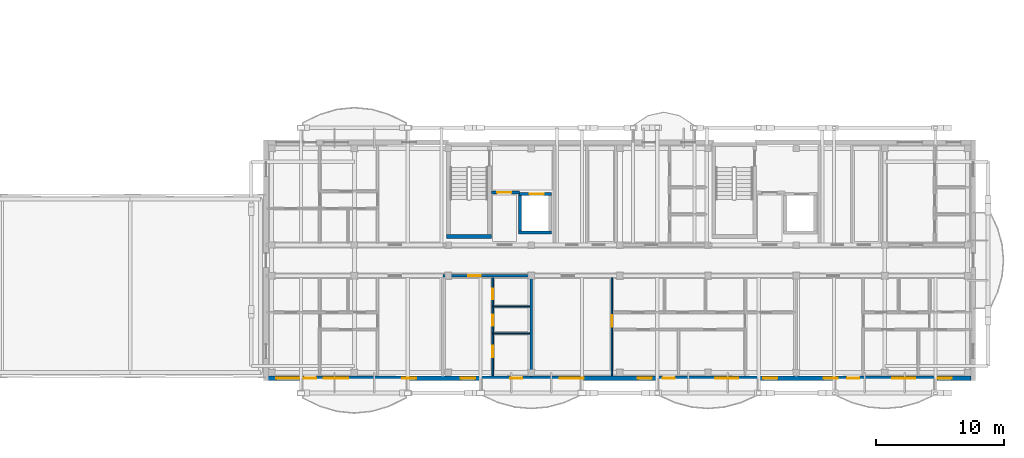
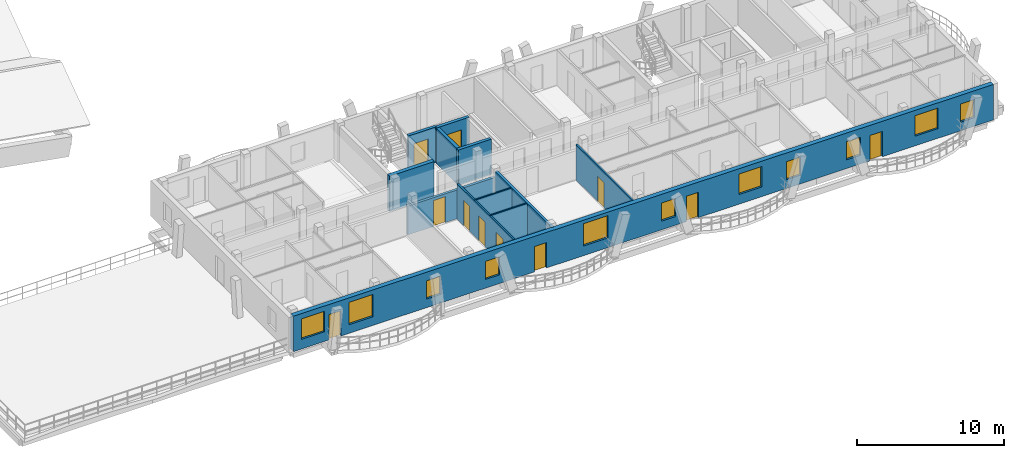
# One storey, part 78 of 109: 12 walls, 11 doors, 11 windows, 22 openings.
"""IFC4 building model written with IfcOpenShell, lengths in metres."""

from ifc_helpers import new_model, si_unit, direction, frame, frame_2d, origin, origin_with_axes, place, context, subcontext, project, spatial, rectangle, extrude, material, layer, layer_set, type_object, element, fill, save


model = new_model("IFC4")

# Units and contexts
model_context = context("Model", 3, precision=1e-05, world=origin(), true_north=direction((0.0, 1.0)))
body_context = subcontext(model_context, "Body", "Model", "MODEL_VIEW")
ifc_project = project(units=[si_unit("LENGTHUNIT", "METRE"), si_unit("AREAUNIT", "SQUARE_METRE"), si_unit("VOLUMEUNIT", "CUBIC_METRE"), si_unit("PLANEANGLEUNIT", "RADIAN"), si_unit("MASSUNIT", "GRAM", prefix="KILO")], contexts=[model_context])

# Site, building, storey
site_placement = place(None, origin())
site = spatial("IfcSite", under=ifc_project, at=site_placement, CompositionType="ELEMENT")
building_placement = place(site_placement, origin())
building = spatial("IfcBuilding", under=site, at=building_placement, Name="Zavelmont Quarter", CompositionType="ELEMENT")
storey_placement = place(building_placement, frame((0.0, 0.0, 8.0)))
storey = spatial("IfcBuildingStorey", under=building, at=storey_placement, Name="L02", CompositionType="ELEMENT", Elevation=8.0)

# Wall, openings, doors, windows
ifc_material_1 = material(Name="Natural Belgian limestone", Category="masonry")
ifc_layer_1 = layer(ifc_material_1, 0.360107421875)
ifc_layer_set_1 = layer_set([ifc_layer_1], Name="Natural Belgian limestone")
wall_type_1 = type_object("IfcWallType", Name="EW02", PredefinedType="STANDARD", material=ifc_layer_set_1)
wall_1_placement = place(storey_placement, frame((112.969970703125, 0.0, 0.0), z_axis=(0.0, 0.0, 1.0), x_axis=(1.0, 0.0, 0.0)))
wall_1 = element("IfcWall", 1, at=wall_1_placement, inside=storey, type_object=wall_type_1, Name="L02 exterior limestone wall EW02", PredefinedType="STANDARD", context=body_context, shape_type="SweptSolid", body=[
    extrude(rectangle(XDim=54.860107421875, YDim=0.360107421875, at=frame_2d((27.43017578125, 0.0))), origin(), (0.0, 0.0, 1.0), 2.93994140625),
])
opening_1_placement = place(wall_1_placement, frame((2.7880859375, 0.0, 0.0)))
opening_1 = element("IfcOpeningElement", 2, at=opening_1_placement, cuts=wall_1, Name="Opening DR04", PredefinedType="OPENING", context=body_context, shape_type="SweptSolid", body=[
    extrude(rectangle(XDim=0.949951171875, YDim=2.10009765625, at=frame_2d((0.47509765625, 1.050048828125))), frame((0.0, 0.19189453125, 0.0), z_axis=(0.0, -1.0, 0.0), x_axis=(1.0, 0.0, 0.0)), (0.0, 0.0, 1.0), 0.384033203125),
])
opening_2_placement = place(wall_1_placement, frame((18.89990234375, 0.0, 0.0)))
opening_2 = element("IfcOpeningElement", 3, at=opening_2_placement, cuts=wall_1, Name="Opening DR04", PredefinedType="OPENING", context=body_context, shape_type="SweptSolid", body=[
    extrude(rectangle(XDim=0.949951171875, YDim=2.10009765625, at=frame_2d((0.47509765625, 1.050048828125))), frame((0.0, 0.19189453125, 0.0), z_axis=(0.0, -1.0, 0.0), x_axis=(1.0, 0.0, 0.0)), (0.0, 0.0, 1.0), 0.384033203125),
])
opening_3_placement = place(wall_1_placement, frame((30.79150390625, 0.0, 0.0)))
opening_3 = element("IfcOpeningElement", 4, at=opening_3_placement, cuts=wall_1, Name="Opening DR04", PredefinedType="OPENING", context=body_context, shape_type="SweptSolid", body=[
    extrude(rectangle(XDim=0.949951171875, YDim=2.10009765625, at=frame_2d((0.47509765625, 1.050048828125))), frame((0.0, 0.19189453125, 0.0), z_axis=(0.0, -1.0, 0.0), x_axis=(1.0, 0.0, 0.0)), (0.0, 0.0, 1.0), 0.384033203125),
])
opening_4_placement = place(wall_1_placement, frame((45.19140625, 0.0, 0.0)))
opening_4 = element("IfcOpeningElement", 5, at=opening_4_placement, cuts=wall_1, Name="Opening DR04", PredefinedType="OPENING", context=body_context, shape_type="SweptSolid", body=[
    extrude(rectangle(XDim=0.949951171875, YDim=2.10009765625, at=frame_2d((0.47509765625, 1.050048828125))), frame((0.0, 0.19189453125, 0.0), z_axis=(0.0, -1.0, 0.0), x_axis=(1.0, 0.0, 0.0)), (0.0, 0.0, 1.0), 0.384033203125),
])
opening_5_placement = place(wall_1_placement, frame((0.64501953125, 0.0, 0.800048828125)))
opening_5 = element("IfcOpeningElement", 6, at=opening_5_placement, cuts=wall_1, Name="Opening WN02", PredefinedType="OPENING", context=body_context, shape_type="SweptSolid", body=[
    extrude(rectangle(XDim=1.800048828125, YDim=1.699951171875, at=frame_2d((0.89990234375, 0.85009765625))), frame((0.0, 0.19189453125, 0.0), z_axis=(0.0, -1.0, 0.0), x_axis=(1.0, 0.0, 0.0)), (0.0, 0.0, 1.0), 0.384033203125),
])
opening_6_placement = place(wall_1_placement, frame((4.35009765625, 0.0, 0.719970703125)))
opening_6 = element("IfcOpeningElement", 7, at=opening_6_placement, cuts=wall_1, Name="Opening WN20", PredefinedType="OPENING", context=body_context, shape_type="SweptSolid", body=[
    extrude(rectangle(XDim=1.89990234375, YDim=1.85009765625, at=frame_2d((0.949951171875, 0.925048828125))), frame((0.0, 0.19189453125, 0.0), z_axis=(0.0, -1.0, 0.0), x_axis=(1.0, 0.0, 0.0)), (0.0, 0.0, 1.0), 0.384033203125),
])
opening_7_placement = place(wall_1_placement, frame((10.449951171875, 0.0, 0.719970703125)))
opening_7 = element("IfcOpeningElement", 8, at=opening_7_placement, cuts=wall_1, Name="Opening WN09", PredefinedType="OPENING", context=body_context, shape_type="SweptSolid", body=[
    extrude(rectangle(XDim=1.10009765625, YDim=1.5, at=frame_2d((0.550048828125, 0.75))), frame((0.0, 0.19189453125, 0.0), z_axis=(0.0, -1.0, 0.0), x_axis=(1.0, 0.0, 0.0)), (0.0, 0.0, 1.0), 0.384033203125),
])
opening_8_placement = place(wall_1_placement, frame((15.050048828125, 0.0, 0.719970703125)))
opening_8 = element("IfcOpeningElement", 9, at=opening_8_placement, cuts=wall_1, Name="Opening WN09", PredefinedType="OPENING", context=body_context, shape_type="SweptSolid", body=[
    extrude(rectangle(XDim=1.10009765625, YDim=1.5, at=frame_2d((0.550048828125, 0.75))), frame((0.0, 0.19189453125, 0.0), z_axis=(0.0, -1.0, 0.0), x_axis=(1.0, 0.0, 0.0)), (0.0, 0.0, 1.0), 0.384033203125),
])
opening_9_placement = place(wall_1_placement, frame((22.75, 0.0, 0.800048828125)))
opening_9 = element("IfcOpeningElement", 10, at=opening_9_placement, cuts=wall_1, Name="Opening WN20", PredefinedType="OPENING", context=body_context, shape_type="SweptSolid", body=[
    extrude(rectangle(XDim=1.89990234375, YDim=1.85009765625, at=frame_2d((0.949951171875, 0.925048828125))), frame((0.0, 0.19189453125, 0.0), z_axis=(0.0, -1.0, 0.0), x_axis=(1.0, 0.0, 0.0)), (0.0, 0.0, 1.0), 0.384033203125),
])
opening_10_placement = place(wall_1_placement, frame((28.85009765625, 0.0, 0.719970703125)))
opening_10 = element("IfcOpeningElement", 11, at=opening_10_placement, cuts=wall_1, Name="Opening WN09", PredefinedType="OPENING", context=body_context, shape_type="SweptSolid", body=[
    extrude(rectangle(XDim=1.10009765625, YDim=1.5, at=frame_2d((0.550048828125, 0.75))), frame((0.0, 0.19189453125, 0.0), z_axis=(0.0, -1.0, 0.0), x_axis=(1.0, 0.0, 0.0)), (0.0, 0.0, 1.0), 0.384033203125),
])
opening_11_placement = place(wall_1_placement, frame((34.89990234375, 0.0, 0.800048828125)))
opening_11 = element("IfcOpeningElement", 12, at=opening_11_placement, cuts=wall_1, Name="Opening WN02", PredefinedType="OPENING", context=body_context, shape_type="SweptSolid", body=[
    extrude(rectangle(XDim=1.800048828125, YDim=1.699951171875, at=frame_2d((0.89990234375, 0.85009765625))), frame((0.0, 0.19189453125, 0.0), z_axis=(0.0, -1.0, 0.0), x_axis=(1.0, 0.0, 0.0)), (0.0, 0.0, 1.0), 0.384033203125),
])
opening_12_placement = place(wall_1_placement, frame((38.64990234375, 0.0, 0.719970703125)))
opening_12 = element("IfcOpeningElement", 13, at=opening_12_placement, cuts=wall_1, Name="Opening WN09", PredefinedType="OPENING", context=body_context, shape_type="SweptSolid", body=[
    extrude(rectangle(XDim=1.10009765625, YDim=1.5, at=frame_2d((0.550048828125, 0.75))), frame((0.0, 0.19189453125, 0.0), z_axis=(0.0, -1.0, 0.0), x_axis=(1.0, 0.0, 0.0)), (0.0, 0.0, 1.0), 0.384033203125),
])
opening_13_placement = place(wall_1_placement, frame((43.35009765625, 0.0, 0.719970703125)))
opening_13 = element("IfcOpeningElement", 14, at=opening_13_placement, cuts=wall_1, Name="Opening WN09", PredefinedType="OPENING", context=body_context, shape_type="SweptSolid", body=[
    extrude(rectangle(XDim=1.10009765625, YDim=1.5, at=frame_2d((0.550048828125, 0.75))), frame((0.0, 0.19189453125, 0.0), z_axis=(0.0, -1.0, 0.0), x_axis=(1.0, 0.0, 0.0)), (0.0, 0.0, 1.0), 0.384033203125),
])
opening_14_placement = place(wall_1_placement, frame((48.699951171875, 0.0, 0.800048828125)))
opening_14 = element("IfcOpeningElement", 15, at=opening_14_placement, cuts=wall_1, Name="Opening WN02", PredefinedType="OPENING", context=body_context, shape_type="SweptSolid", body=[
    extrude(rectangle(XDim=1.800048828125, YDim=1.699951171875, at=frame_2d((0.89990234375, 0.85009765625))), frame((0.0, 0.19189453125, 0.0), z_axis=(0.0, -1.0, 0.0), x_axis=(1.0, 0.0, 0.0)), (0.0, 0.0, 1.0), 0.384033203125),
])
opening_15_placement = place(wall_1_placement, frame((52.25, 0.0, 0.719970703125)))
opening_15 = element("IfcOpeningElement", 16, at=opening_15_placement, cuts=wall_1, Name="Opening WN09", PredefinedType="OPENING", context=body_context, shape_type="SweptSolid", body=[
    extrude(rectangle(XDim=1.10009765625, YDim=1.5, at=frame_2d((0.550048828125, 0.75))), frame((0.0, 0.19189453125, 0.0), z_axis=(0.0, -1.0, 0.0), x_axis=(1.0, 0.0, 0.0)), (0.0, 0.0, 1.0), 0.384033203125),
])
ifc_material_2 = material(Name="Thermally broken aluminium and double safety glass", Category="aluminium")
door_type_1 = type_object("IfcDoorType", Name="DR04", OperationType="NOTDEFINED", PredefinedType="DOOR", material=ifc_material_2)
door_1_placement = place(opening_1_placement, origin_with_axes())
door_1 = element("IfcDoor", 17, at=door_1_placement, inside=storey, type_object=door_type_1, Name="Block D L02 glazed balcony door", OperationType="SINGLE_SWING_RIGHT", OverallHeight=2.10009765625, OverallWidth=0.949951171875, PredefinedType="DOOR", context=body_context, shape_type="SweptSolid", body=[
    extrude(rectangle(XDim=0.949951171875, YDim=2.10009765625, at=frame_2d((0.47509765625, 1.050048828125))), frame((0.0, 0.02490234375, 0.0), z_axis=(0.0, -1.0, 0.0), x_axis=(1.0, 0.0, 0.0)), (0.0, 0.0, 1.0), 0.050048828125),
])
fill(opening_1, door_1)
door_2_placement = place(opening_2_placement, origin_with_axes())
door_2 = element("IfcDoor", 18, at=door_2_placement, inside=storey, type_object=door_type_1, Name="Block D L02 glazed balcony door", OperationType="SINGLE_SWING_RIGHT", OverallHeight=2.10009765625, OverallWidth=0.949951171875, PredefinedType="DOOR", context=body_context, shape_type="SweptSolid", body=[
    extrude(rectangle(XDim=0.949951171875, YDim=2.10009765625, at=frame_2d((0.47509765625, 1.050048828125))), frame((0.0, 0.02490234375, 0.0), z_axis=(0.0, -1.0, 0.0), x_axis=(1.0, 0.0, 0.0)), (0.0, 0.0, 1.0), 0.050048828125),
])
fill(opening_2, door_2)
door_3_placement = place(opening_3_placement, origin_with_axes())
door_3 = element("IfcDoor", 19, at=door_3_placement, inside=storey, type_object=door_type_1, Name="Block D L02 glazed balcony door", OperationType="SINGLE_SWING_RIGHT", OverallHeight=2.10009765625, OverallWidth=0.949951171875, PredefinedType="DOOR", context=body_context, shape_type="SweptSolid", body=[
    extrude(rectangle(XDim=0.949951171875, YDim=2.10009765625, at=frame_2d((0.47509765625, 1.050048828125))), frame((0.0, 0.02490234375, 0.0), z_axis=(0.0, -1.0, 0.0), x_axis=(1.0, 0.0, 0.0)), (0.0, 0.0, 1.0), 0.050048828125),
])
fill(opening_3, door_3)
door_4_placement = place(opening_4_placement, origin_with_axes())
door_4 = element("IfcDoor", 20, at=door_4_placement, inside=storey, type_object=door_type_1, Name="Block D L02 glazed balcony door", OperationType="SINGLE_SWING_RIGHT", OverallHeight=2.10009765625, OverallWidth=0.949951171875, PredefinedType="DOOR", context=body_context, shape_type="SweptSolid", body=[
    extrude(rectangle(XDim=0.949951171875, YDim=2.10009765625, at=frame_2d((0.47509765625, 1.050048828125))), frame((0.0, 0.02490234375, 0.0), z_axis=(0.0, -1.0, 0.0), x_axis=(1.0, 0.0, 0.0)), (0.0, 0.0, 1.0), 0.050048828125),
])
fill(opening_4, door_4)
ifc_material_3 = material(Name="Double low-E insulated glazing in thermally broken aluminium frame", Category="aluminium")
window_type_1 = type_object("IfcWindowType", Name="WN02", PartitioningType="SINGLE_PANEL", PredefinedType="WINDOW", material=ifc_material_3)
window_1_placement = place(opening_5_placement, origin_with_axes())
window_1 = element("IfcWindow", 21, at=window_1_placement, inside=storey, type_object=window_type_1, Name="L02 window WN02", OverallHeight=1.699951171875, OverallWidth=1.800048828125, PartitioningType="SINGLE_PANEL", PredefinedType="WINDOW", context=body_context, shape_type="SweptSolid", body=[
    extrude(rectangle(XDim=1.800048828125, YDim=1.699951171875, at=frame_2d((0.89990234375, 0.85009765625))), frame((0.0, 0.030029296875, 0.0), z_axis=(0.0, -1.0, 0.0), x_axis=(1.0, 0.0, 0.0)), (0.0, 0.0, 1.0), 0.06005859375),
])
fill(opening_5, window_1)
window_2_placement = place(opening_11_placement, origin_with_axes())
window_2 = element("IfcWindow", 22, at=window_2_placement, inside=storey, type_object=window_type_1, Name="L02 window WN02", OverallHeight=1.699951171875, OverallWidth=1.800048828125, PartitioningType="SINGLE_PANEL", PredefinedType="WINDOW", context=body_context, shape_type="SweptSolid", body=[
    extrude(rectangle(XDim=1.800048828125, YDim=1.699951171875, at=frame_2d((0.89990234375, 0.85009765625))), frame((0.0, 0.030029296875, 0.0), z_axis=(0.0, -1.0, 0.0), x_axis=(1.0, 0.0, 0.0)), (0.0, 0.0, 1.0), 0.06005859375),
])
fill(opening_11, window_2)
window_3_placement = place(opening_14_placement, origin_with_axes())
window_3 = element("IfcWindow", 23, at=window_3_placement, inside=storey, type_object=window_type_1, Name="L02 window WN02", OverallHeight=1.699951171875, OverallWidth=1.800048828125, PartitioningType="SINGLE_PANEL", PredefinedType="WINDOW", context=body_context, shape_type="SweptSolid", body=[
    extrude(rectangle(XDim=1.800048828125, YDim=1.699951171875, at=frame_2d((0.89990234375, 0.85009765625))), frame((0.0, 0.030029296875, 0.0), z_axis=(0.0, -1.0, 0.0), x_axis=(1.0, 0.0, 0.0)), (0.0, 0.0, 1.0), 0.06005859375),
])
fill(opening_14, window_3)
window_type_2 = type_object("IfcWindowType", Name="WN09", PartitioningType="SINGLE_PANEL", PredefinedType="WINDOW", material=ifc_material_3)
window_4_placement = place(opening_7_placement, origin_with_axes())
window_4 = element("IfcWindow", 24, at=window_4_placement, inside=storey, type_object=window_type_2, Name="L02 window WN09", OverallHeight=1.5, OverallWidth=1.10009765625, PartitioningType="SINGLE_PANEL", PredefinedType="WINDOW", context=body_context, shape_type="SweptSolid", body=[
    extrude(rectangle(XDim=1.10009765625, YDim=1.5, at=frame_2d((0.550048828125, 0.75))), frame((0.0, 0.030029296875, 0.0), z_axis=(0.0, -1.0, 0.0), x_axis=(1.0, 0.0, 0.0)), (0.0, 0.0, 1.0), 0.06005859375),
])
fill(opening_7, window_4)
window_5_placement = place(opening_8_placement, origin_with_axes())
window_5 = element("IfcWindow", 25, at=window_5_placement, inside=storey, type_object=window_type_2, Name="L02 window WN09", OverallHeight=1.5, OverallWidth=1.10009765625, PartitioningType="SINGLE_PANEL", PredefinedType="WINDOW", context=body_context, shape_type="SweptSolid", body=[
    extrude(rectangle(XDim=1.10009765625, YDim=1.5, at=frame_2d((0.550048828125, 0.75))), frame((0.0, 0.030029296875, 0.0), z_axis=(0.0, -1.0, 0.0), x_axis=(1.0, 0.0, 0.0)), (0.0, 0.0, 1.0), 0.06005859375),
])
fill(opening_8, window_5)
window_6_placement = place(opening_10_placement, origin_with_axes())
window_6 = element("IfcWindow", 26, at=window_6_placement, inside=storey, type_object=window_type_2, Name="L02 window WN09", OverallHeight=1.5, OverallWidth=1.10009765625, PartitioningType="SINGLE_PANEL", PredefinedType="WINDOW", context=body_context, shape_type="SweptSolid", body=[
    extrude(rectangle(XDim=1.10009765625, YDim=1.5, at=frame_2d((0.550048828125, 0.75))), frame((0.0, 0.030029296875, 0.0), z_axis=(0.0, -1.0, 0.0), x_axis=(1.0, 0.0, 0.0)), (0.0, 0.0, 1.0), 0.06005859375),
])
fill(opening_10, window_6)
window_7_placement = place(opening_12_placement, origin_with_axes())
window_7 = element("IfcWindow", 27, at=window_7_placement, inside=storey, type_object=window_type_2, Name="L02 window WN09", OverallHeight=1.5, OverallWidth=1.10009765625, PartitioningType="SINGLE_PANEL", PredefinedType="WINDOW", context=body_context, shape_type="SweptSolid", body=[
    extrude(rectangle(XDim=1.10009765625, YDim=1.5, at=frame_2d((0.550048828125, 0.75))), frame((0.0, 0.030029296875, 0.0), z_axis=(0.0, -1.0, 0.0), x_axis=(1.0, 0.0, 0.0)), (0.0, 0.0, 1.0), 0.06005859375),
])
fill(opening_12, window_7)
window_8_placement = place(opening_13_placement, origin_with_axes())
window_8 = element("IfcWindow", 28, at=window_8_placement, inside=storey, type_object=window_type_2, Name="L02 window WN09", OverallHeight=1.5, OverallWidth=1.10009765625, PartitioningType="SINGLE_PANEL", PredefinedType="WINDOW", context=body_context, shape_type="SweptSolid", body=[
    extrude(rectangle(XDim=1.10009765625, YDim=1.5, at=frame_2d((0.550048828125, 0.75))), frame((0.0, 0.030029296875, 0.0), z_axis=(0.0, -1.0, 0.0), x_axis=(1.0, 0.0, 0.0)), (0.0, 0.0, 1.0), 0.06005859375),
])
fill(opening_13, window_8)
window_9_placement = place(opening_15_placement, origin_with_axes())
window_9 = element("IfcWindow", 29, at=window_9_placement, inside=storey, type_object=window_type_2, Name="L02 window WN09", OverallHeight=1.5, OverallWidth=1.10009765625, PartitioningType="SINGLE_PANEL", PredefinedType="WINDOW", context=body_context, shape_type="SweptSolid", body=[
    extrude(rectangle(XDim=1.10009765625, YDim=1.5, at=frame_2d((0.550048828125, 0.75))), frame((0.0, 0.030029296875, 0.0), z_axis=(0.0, -1.0, 0.0), x_axis=(1.0, 0.0, 0.0)), (0.0, 0.0, 1.0), 0.06005859375),
])
fill(opening_15, window_9)
window_type_3 = type_object("IfcWindowType", Name="WN20", PartitioningType="SINGLE_PANEL", PredefinedType="WINDOW", material=ifc_material_3)
window_10_placement = place(opening_6_placement, origin_with_axes())
window_10 = element("IfcWindow", 30, at=window_10_placement, inside=storey, type_object=window_type_3, Name="L02 window WN20", OverallHeight=1.85009765625, OverallWidth=1.89990234375, PartitioningType="SINGLE_PANEL", PredefinedType="WINDOW", context=body_context, shape_type="SweptSolid", body=[
    extrude(rectangle(XDim=1.89990234375, YDim=1.85009765625, at=frame_2d((0.949951171875, 0.925048828125))), frame((0.0, 0.030029296875, 0.0), z_axis=(0.0, -1.0, 0.0), x_axis=(1.0, 0.0, 0.0)), (0.0, 0.0, 1.0), 0.06005859375),
])
fill(opening_6, window_10)
window_11_placement = place(opening_9_placement, origin_with_axes())
window_11 = element("IfcWindow", 31, at=window_11_placement, inside=storey, type_object=window_type_3, Name="L02 window WN20", OverallHeight=1.85009765625, OverallWidth=1.89990234375, PartitioningType="SINGLE_PANEL", PredefinedType="WINDOW", context=body_context, shape_type="SweptSolid", body=[
    extrude(rectangle(XDim=1.89990234375, YDim=1.85009765625, at=frame_2d((0.949951171875, 0.925048828125))), frame((0.0, 0.030029296875, 0.0), z_axis=(0.0, -1.0, 0.0), x_axis=(1.0, 0.0, 0.0)), (0.0, 0.0, 1.0), 0.06005859375),
])
fill(opening_9, window_11)

# Wall
ifc_material_4 = material(Name="Calcium-silicate blockwork and acoustic plaster", Category="masonry")
ifc_layer_2 = layer(ifc_material_4, 0.199951171875)
ifc_layer_set_2 = layer_set([ifc_layer_2], Name="Calcium-silicate blockwork and acoustic plaster")
wall_type_2 = type_object("IfcWallType", Name="IW01", PredefinedType="PARTITIONING", material=ifc_layer_set_2)
wall_2_placement = place(storey_placement, frame((133.5, 7.85009765625, 0.0), z_axis=(0.0, 0.0, 1.0), x_axis=(0.0, -1.0, 0.0)))
element("IfcWall", 32, at=wall_2_placement, inside=storey, type_object=wall_type_2, Name="L02 Inter-dwelling compartment wall IW01", PredefinedType="PARTITIONING", context=body_context, shape_type="SweptSolid", body=[
    extrude(rectangle(XDim=7.7001953125, YDim=0.199951171875, at=frame_2d((3.85009765625, 0.0))), origin(), (0.0, 0.0, 1.0), 2.93994140625),
])

# Wall, opening, door
wall_3_placement = place(storey_placement, frame((126.60009765625, 8.0, 0.0), z_axis=(0.0, 0.0, 1.0), x_axis=(1.0, 0.0, 0.0)))
wall_3 = element("IfcWall", 33, at=wall_3_placement, inside=storey, type_object=wall_type_2, Name="L02 Corridor compartment wall IW01", PredefinedType="PARTITIONING", context=body_context, shape_type="SweptSolid", body=[
    extrude(rectangle(XDim=6.89990234375, YDim=0.199951171875, at=frame_2d((3.449951171875, 0.0))), origin(), (0.0, 0.0, 1.0), 2.3798828125),
])
opening_16_placement = place(wall_3_placement, frame((2.0, 0.0, 0.0)))
opening_16 = element("IfcOpeningElement", 34, at=opening_16_placement, cuts=wall_3, Name="Opening DR02", PredefinedType="OPENING", context=body_context, shape_type="SweptSolid", body=[
    extrude(rectangle(XDim=0.949951171875, YDim=2.14990234375, at=frame_2d((0.47509765625, 1.074951171875))), frame((0.0, 0.11181640625, 0.0), z_axis=(0.0, -1.0, 0.0), x_axis=(1.0, 0.0, 0.0)), (0.0, 0.0, 1.0), 0.223876953125),
])
ifc_material_5 = material(Name="Solid-core oak fire leaf in steel frame", Category="steel")
door_type_2 = type_object("IfcDoorType", Name="DR02", OperationType="NOTDEFINED", PredefinedType="DOOR", material=ifc_material_5)
door_5_placement = place(opening_16_placement, frame((0.949951171875, 0.0, 0.0), z_axis=(0.0, 0.0, 1.0), x_axis=(-1.0, 0.0, 0.0)))
door_5 = element("IfcDoor", 35, at=door_5_placement, inside=storey, type_object=door_type_2, Name="L02 door DR02", OperationType="SINGLE_SWING_LEFT", OverallHeight=2.14990234375, OverallWidth=0.949951171875, PredefinedType="DOOR", context=body_context, shape_type="SweptSolid", body=[
    extrude(rectangle(XDim=0.949951171875, YDim=2.14990234375, at=frame_2d((0.47509765625, 1.074951171875))), frame((0.0, 0.02490234375, 0.0), z_axis=(0.0, -1.0, 0.0), x_axis=(1.0, 0.0, 0.0)), (0.0, 0.0, 1.0), 0.050048828125),
])
fill(opening_16, door_5)

ifc_material_6 = material(Name="Reinforced masonry fire compartment wall", Category="masonry")
ifc_layer_3 = layer(ifc_material_6, 0.22509765625)
ifc_layer_set_3 = layer_set([ifc_layer_3], Name="Reinforced masonry fire compartment wall")
wall_type_3 = type_object("IfcWallType", Name="IW02", PredefinedType="PARTITIONING", material=ifc_layer_set_3)
wall_4_placement = place(storey_placement, frame((130.39990234375, 14.5, 0.0), z_axis=(0.0, 0.0, 1.0), x_axis=(1.0, 0.0, 0.0)))
wall_4 = element("IfcWall", 36, at=wall_4_placement, inside=storey, type_object=wall_type_3, Name="L02 Firefighting lobby threshold wall IW02", PredefinedType="PARTITIONING", context=body_context, shape_type="SweptSolid", body=[
    extrude(rectangle(XDim=2.2001953125, YDim=0.22509765625, at=frame_2d((1.10009765625, 0.0))), origin(), (0.0, 0.0, 1.0), 2.93994140625),
])
opening_17_placement = place(wall_4_placement, frame((0.449951171875, 0.0, 0.0)))
opening_17 = element("IfcOpeningElement", 37, at=opening_17_placement, cuts=wall_4, Name="Opening DR10", PredefinedType="OPENING", context=body_context, shape_type="SweptSolid", body=[
    extrude(rectangle(XDim=1.10009765625, YDim=2.14990234375, at=frame_2d((0.550048828125, 1.074951171875))), frame((0.0, 0.12451171875, 0.0), z_axis=(0.0, -1.0, 0.0), x_axis=(1.0, 0.0, 0.0)), (0.0, 0.0, 1.0), 0.2490234375),
])
ifc_material_7 = material(Name="Painted steel lobby fire door", Category="steel")
door_type_3 = type_object("IfcDoorType", Name="DR10", OperationType="NOTDEFINED", PredefinedType="DOOR", material=ifc_material_7)
door_6_placement = place(opening_17_placement, origin_with_axes())
door_6 = element("IfcDoor", 38, at=door_6_placement, inside=storey, type_object=door_type_3, Name="Firefighting lobby fire door", OperationType="SINGLE_SWING_RIGHT", OverallHeight=2.14990234375, OverallWidth=1.10009765625, PredefinedType="DOOR", context=body_context, shape_type="SweptSolid", body=[
    extrude(rectangle(XDim=1.10009765625, YDim=2.14990234375, at=frame_2d((0.550048828125, 1.074951171875))), frame((0.0, 0.02490234375, 0.0), z_axis=(0.0, -1.0, 0.0), x_axis=(1.0, 0.0, 0.0)), (0.0, 0.0, 1.0), 0.050048828125),
])
fill(opening_17, door_6)

# Wall, openings, doors
ifc_material_8 = material(Name="Double gypsum board on acoustic steel stud", Category="steel")
ifc_layer_4 = layer(ifc_material_8, 0.125)
ifc_layer_set_4 = layer_set([ifc_layer_4], Name="Double gypsum board on acoustic steel stud")
wall_type_4 = type_object("IfcWallType", Name="IW03", PredefinedType="PARTITIONING", material=ifc_layer_set_4)
wall_5_placement = place(storey_placement, frame((130.5, 7.85009765625, 0.0), z_axis=(0.0, 0.0, 1.0), x_axis=(0.0, -1.0, 0.0)))
wall_5 = element("IfcWall", 39, at=wall_5_placement, inside=storey, type_object=wall_type_4, Name="L02 Partition IW03", PredefinedType="PARTITIONING", context=body_context, shape_type="SweptSolid", body=[
    extrude(rectangle(XDim=7.650146484375, YDim=0.125, at=frame_2d((3.8251953125, 0.0))), origin(), (0.0, 0.0, 1.0), 2.93994140625),
])
opening_18_placement = place(wall_5_placement, frame((0.85009765625, 0.0, 0.0)))
opening_18 = element("IfcOpeningElement", 40, at=opening_18_placement, cuts=wall_5, Name="Opening DR16", PredefinedType="OPENING", context=body_context, shape_type="SweptSolid", body=[
    extrude(rectangle(XDim=0.85009765625, YDim=2.10009765625, at=frame_2d((0.425048828125, 1.050048828125))), frame((0.0, 0.074462890625, 0.0), z_axis=(0.0, -1.0, 0.0), x_axis=(1.0, 0.0, 0.0)), (0.0, 0.0, 1.0), 0.14892578125),
])
opening_19_placement = place(wall_5_placement, frame((2.89990234375, 0.0, 0.0)))
opening_19 = element("IfcOpeningElement", 41, at=opening_19_placement, cuts=wall_5, Name="Opening DR06", PredefinedType="OPENING", context=body_context, shape_type="SweptSolid", body=[
    extrude(rectangle(XDim=0.85009765625, YDim=2.050048828125, at=frame_2d((0.425048828125, 1.02490234375))), frame((0.0, 0.074462890625, 0.0), z_axis=(0.0, -1.0, 0.0), x_axis=(1.0, 0.0, 0.0)), (0.0, 0.0, 1.0), 0.14892578125),
])
opening_20_placement = place(wall_5_placement, frame((5.300048828125, 0.0, 0.0)))
opening_20 = element("IfcOpeningElement", 42, at=opening_20_placement, cuts=wall_5, Name="Opening DR05", PredefinedType="OPENING", context=body_context, shape_type="SweptSolid", body=[
    extrude(rectangle(XDim=0.89990234375, YDim=2.10009765625, at=frame_2d((0.449951171875, 1.050048828125))), frame((0.0, 0.074462890625, 0.0), z_axis=(0.0, -1.0, 0.0), x_axis=(1.0, 0.0, 0.0)), (0.0, 0.0, 1.0), 0.14892578125),
])
ifc_material_9 = material(Name="Engineered oak flush interior door")
door_type_4 = type_object("IfcDoorType", Name="DR05", OperationType="NOTDEFINED", PredefinedType="DOOR", material=ifc_material_9)
door_7_placement = place(opening_20_placement, origin_with_axes())
door_7 = element("IfcDoor", 43, at=door_7_placement, inside=storey, type_object=door_type_4, Name="L02 door DR05", OperationType="SINGLE_SWING_LEFT", OverallHeight=2.10009765625, OverallWidth=0.89990234375, PredefinedType="DOOR", context=body_context, shape_type="SweptSolid", body=[
    extrude(rectangle(XDim=0.89990234375, YDim=2.10009765625, at=frame_2d((0.449951171875, 1.050048828125))), frame((0.0, 0.02490234375, 0.0), z_axis=(0.0, -1.0, 0.0), x_axis=(1.0, 0.0, 0.0)), (0.0, 0.0, 1.0), 0.050048828125),
])
fill(opening_20, door_7)
ifc_material_10 = material(Name="Moisture-resistant painted wet-room door")
door_type_5 = type_object("IfcDoorType", Name="DR06", OperationType="NOTDEFINED", PredefinedType="DOOR", material=ifc_material_10)
door_8_placement = place(opening_19_placement, frame((0.85009765625, 0.0, 0.0), z_axis=(0.0, 0.0, 1.0), x_axis=(-1.0, 0.0, 0.0)))
door_8 = element("IfcDoor", 44, at=door_8_placement, inside=storey, type_object=door_type_5, Name="L02 door DR06", OperationType="SINGLE_SWING_RIGHT", OverallHeight=2.050048828125, OverallWidth=0.85009765625, PredefinedType="DOOR", context=body_context, shape_type="SweptSolid", body=[
    extrude(rectangle(XDim=0.85009765625, YDim=2.050048828125, at=frame_2d((0.425048828125, 1.02490234375))), frame((0.0, 0.02490234375, 0.0), z_axis=(0.0, -1.0, 0.0), x_axis=(1.0, 0.0, 0.0)), (0.0, 0.0, 1.0), 0.050048828125),
])
fill(opening_19, door_8)
door_type_6 = type_object("IfcDoorType", Name="DR16", OperationType="NOTDEFINED", PredefinedType="DOOR", material=ifc_material_9)
door_9_placement = place(opening_18_placement, origin_with_axes())
door_9 = element("IfcDoor", 45, at=door_9_placement, inside=storey, type_object=door_type_6, Name="L02 door DR16", OperationType="SINGLE_SWING_LEFT", OverallHeight=2.10009765625, OverallWidth=0.85009765625, PredefinedType="DOOR", context=body_context, shape_type="SweptSolid", body=[
    extrude(rectangle(XDim=0.85009765625, YDim=2.10009765625, at=frame_2d((0.425048828125, 1.050048828125))), frame((0.0, 0.02490234375, 0.0), z_axis=(0.0, -1.0, 0.0), x_axis=(1.0, 0.0, 0.0)), (0.0, 0.0, 1.0), 0.050048828125),
])
fill(opening_18, door_9)

# Wall, opening, door
wall_6_placement = place(storey_placement, frame((139.800048828125, 7.85009765625, 0.0), z_axis=(0.0, 0.0, 1.0), x_axis=(0.0, -1.0, 0.0)))
wall_6 = element("IfcWall", 46, at=wall_6_placement, inside=storey, type_object=wall_type_4, Name="L02 Partition IW03", PredefinedType="PARTITIONING", context=body_context, shape_type="SweptSolid", body=[
    extrude(rectangle(XDim=7.650146484375, YDim=0.125, at=frame_2d((3.8251953125, 0.0))), origin(), (0.0, 0.0, 1.0), 2.93994140625),
])
opening_21_placement = place(wall_6_placement, frame((2.949951171875, 0.0, 0.0)))
opening_21 = element("IfcOpeningElement", 47, at=opening_21_placement, cuts=wall_6, Name="Opening DR05", PredefinedType="OPENING", context=body_context, shape_type="SweptSolid", body=[
    extrude(rectangle(XDim=0.89990234375, YDim=2.10009765625, at=frame_2d((0.449951171875, 1.050048828125))), frame((0.0, 0.074462890625, 0.0), z_axis=(0.0, -1.0, 0.0), x_axis=(1.0, 0.0, 0.0)), (0.0, 0.0, 1.0), 0.14892578125),
])
door_10_placement = place(opening_21_placement, origin_with_axes())
door_10 = element("IfcDoor", 48, at=door_10_placement, inside=storey, type_object=door_type_4, Name="L02 door DR05", OperationType="SINGLE_SWING_RIGHT", OverallHeight=2.10009765625, OverallWidth=0.89990234375, PredefinedType="DOOR", context=body_context, shape_type="SweptSolid", body=[
    extrude(rectangle(XDim=0.89990234375, YDim=2.10009765625, at=frame_2d((0.449951171875, 1.050048828125))), frame((0.0, 0.02490234375, 0.0), z_axis=(0.0, -1.0, 0.0), x_axis=(1.0, 0.0, 0.0)), (0.0, 0.0, 1.0), 0.050048828125),
])
fill(opening_21, door_10)

# Walls
ifc_material_11 = material(Name="Moisture-resistant gypsum board on steel stud", Category="steel")
ifc_layer_5 = layer(ifc_material_11, 0.10009765625)
ifc_layer_set_5 = layer_set([ifc_layer_5], Name="Moisture-resistant gypsum board on steel stud")
wall_type_5 = type_object("IfcWallType", Name="IW04", PredefinedType="PARTITIONING", material=ifc_layer_set_5)
for number, where, z_axis, x_axis, name in (
    (49, (130.5, 5.60009765625, 0.0), (0.0, 0.0, 1.0), (1.0, 0.0, 0.0), "L02 Partition IW04"),
    (50, (130.5, 3.5, 0.0), (0.0, 0.0, 1.0), (1.0, 0.0, 0.0), "L02 Partition IW04"),
):
    element("IfcWall", number, at=place(storey_placement, frame(where, z_axis=z_axis, x_axis=x_axis)), inside=storey, type_object=wall_type_5, Name=name, PredefinedType="PARTITIONING", context=body_context, shape_type="SweptSolid", body=[
        extrude(rectangle(XDim=2.89990234375, YDim=0.10009765625, at=frame_2d((1.449951171875, 0.0))), origin(), (0.0, 0.0, 1.0), 2.93994140625),
    ])
ifc_material_12 = material(Name="Concrete C40/50", Category="concrete")
ifc_layer_6 = layer(ifc_material_12, 0.300048828125)
ifc_layer_set_6 = layer_set([ifc_layer_6], Name="Concrete C40/50")
wall_type_6 = type_object("IfcWallType", Name="SW01", PredefinedType="SHEAR", material=ifc_layer_set_6)
wall_7_placement = place(storey_placement, frame((126.89990234375, 11.050048828125, 0.0), z_axis=(0.0, 0.0, 1.0), x_axis=(1.0, 0.0, 0.0)))
element("IfcWall", 51, at=wall_7_placement, inside=storey, type_object=wall_type_6, Name="L02 ST07 corridor shear wall SW01", PredefinedType="SHEAR", context=body_context, shape_type="SweptSolid", body=[
    extrude(rectangle(XDim=3.5, YDim=0.300048828125, at=frame_2d((1.75, 0.0))), origin(), (0.0, 0.0, 1.0), 2.93994140625),
])

# Wall, opening, door
ifc_layer_7 = layer(ifc_material_12, 0.25)
ifc_layer_set_7 = layer_set([ifc_layer_7], Name="Concrete C40/50")
wall_type_7 = type_object("IfcWallType", Name="SW02", PredefinedType="SHEAR", material=ifc_layer_set_7)
wall_8_placement = place(storey_placement, frame((132.5, 14.375, 0.0), z_axis=(0.0, 0.0, 1.0), x_axis=(1.0, 0.0, 0.0)))
wall_8 = element("IfcWall", 52, at=wall_8_placement, inside=storey, type_object=wall_type_7, Name="L02 Lift FL04 landing shaft wall SW02", PredefinedType="SHEAR", context=body_context, shape_type="SweptSolid", body=[
    extrude(rectangle(XDim=2.60009765625, YDim=0.25, at=frame_2d((1.300048828125, 0.0))), origin(), (0.0, 0.0, 1.0), 2.93994140625),
])
opening_22_placement = place(wall_8_placement, frame((0.875, 0.0, 0.0)))
opening_22 = element("IfcOpeningElement", 53, at=opening_22_placement, cuts=wall_8, Name="Opening LD02", PredefinedType="OPENING", context=body_context, shape_type="SweptSolid", body=[
    extrude(rectangle(XDim=1.10009765625, YDim=2.10009765625, at=frame_2d((0.550048828125, 1.050048828125))), frame((0.0, 0.136962890625, 0.0), z_axis=(0.0, -1.0, 0.0), x_axis=(1.0, 0.0, 0.0)), (0.0, 0.0, 1.0), 0.27392578125),
])
ifc_material_13 = material(Name="Brushed stainless-steel firefighting lift landing door", Category="steel")
door_type_7 = type_object("IfcDoorType", Name="LD02", OperationType="SLIDING_TO_LEFT", PredefinedType="DOOR", material=ifc_material_13)
door_11_placement = place(opening_22_placement, origin_with_axes())
door_11 = element("IfcDoor", 54, at=door_11_placement, inside=storey, type_object=door_type_7, Name="Lift FL04 sliding landing door", OperationType="SLIDING_TO_LEFT", OverallHeight=2.10009765625, OverallWidth=1.10009765625, PredefinedType="DOOR", context=body_context, shape_type="SweptSolid", body=[
    extrude(rectangle(XDim=1.10009765625, YDim=2.10009765625, at=frame_2d((0.550048828125, 1.050048828125))), frame((0.0, 0.02490234375, 0.0), z_axis=(0.0, -1.0, 0.0), x_axis=(1.0, 0.0, 0.0)), (0.0, 0.0, 1.0), 0.050048828125),
])
fill(opening_22, door_11)

# Walls
wall_9_placement = place(storey_placement, frame((132.5, 11.375, 0.0), z_axis=(0.0, 0.0, 1.0), x_axis=(1.0, 0.0, 0.0)))
element("IfcWall", 55, at=wall_9_placement, inside=storey, type_object=wall_type_7, Name="L02 Lift FL04 back shaft wall SW02", PredefinedType="SHEAR", context=body_context, shape_type="SweptSolid", body=[
    extrude(rectangle(XDim=2.60009765625, YDim=0.25, at=frame_2d((1.300048828125, 0.0))), origin(), (0.0, 0.0, 1.0), 2.93994140625),
])
wall_10_placement = place(storey_placement, frame((132.625, 11.25, 0.0), z_axis=(0.0, 0.0, 1.0), x_axis=(0.0, 1.0, 0.0)))
element("IfcWall", 56, at=wall_10_placement, inside=storey, type_object=wall_type_7, Name="L02 Lift FL04 west shaft wall SW02", PredefinedType="SHEAR", context=body_context, shape_type="SweptSolid", body=[
    extrude(rectangle(XDim=3.25, YDim=0.25, at=frame_2d((1.625, 0.0))), origin(), (0.0, 0.0, 1.0), 2.93994140625),
])

save(model, "model.ifc")
